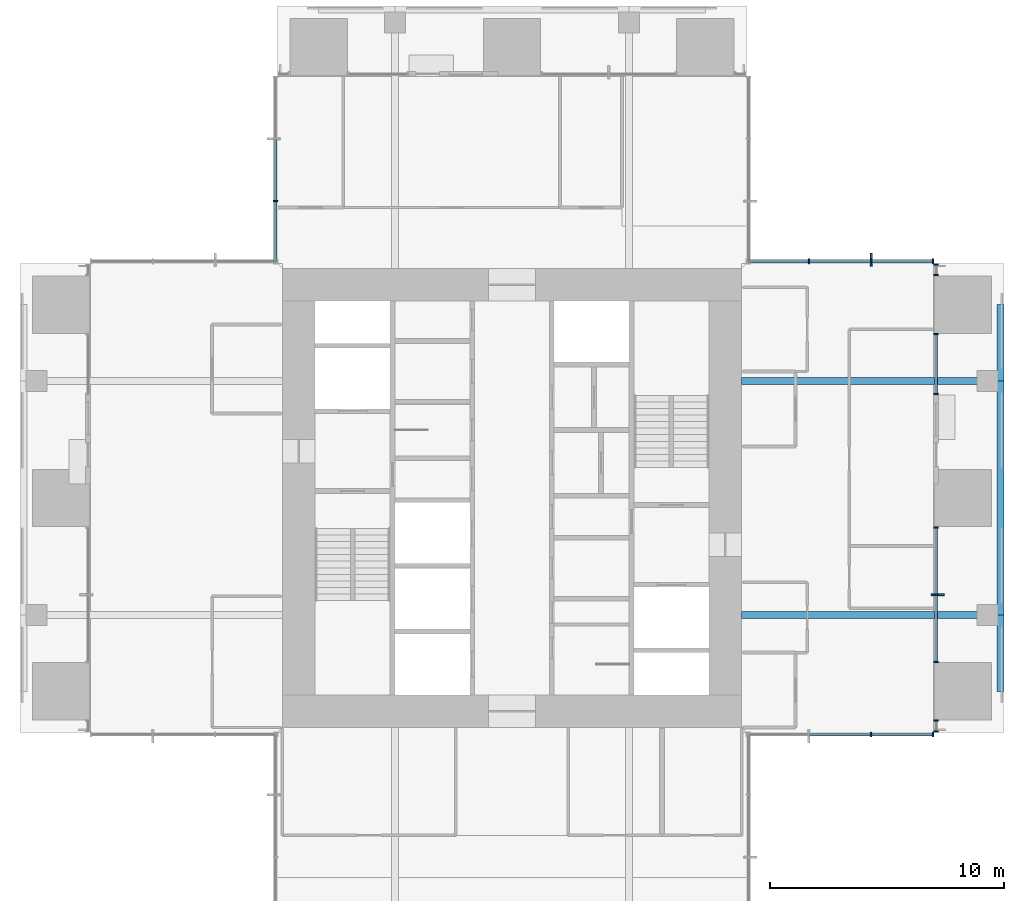
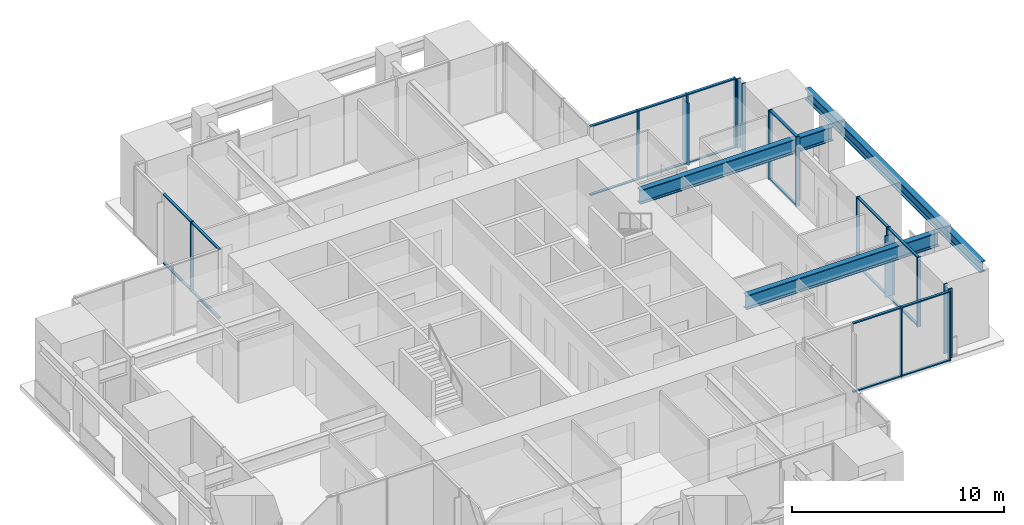
# One storey, part 4 of 17: 37 members, 5 beams, 7 elements without a shape of their own.
"""IFC4 building model written with IfcOpenShell, lengths in metres."""

import ifcopenshell
import ifcopenshell.guid

model = None  # the IFC model being written
_history = None  # IfcOwnerHistory: only IFC2X3 demands one
_inside = {}  # id of a spatial element -> (the spatial element, [elements in it])
_under = {}  # id of a project, library or spatial element -> (it, [spatial elements below it])
_declared = {}  # id of a project -> (the project, [libraries it declares])
_typed = {}  # id of a type object -> (the type object, [elements of that type])
_made_of = {}  # id of a material, layer set ... -> (it, [elements and type objects made of it])


def new_model(schema):
    """Start an empty IFC model of exactly this schema.

    Asked for "IFC4X3", IfcOpenShell would pick the latest addendum, in which some entities
    have other attributes; the version numbers below select the first issue.
    IFC2X3 requires an IfcOwnerHistory on every rooted entity: one is made here for all.
    """
    global model, _history
    if schema == "IFC4X3":
        model = ifcopenshell.file(schema_version=(4, 3, 0, 0))
    else:
        model = ifcopenshell.file(schema=schema)
    _inside.clear()
    _under.clear()
    _declared.clear()
    _typed.clear()
    _made_of.clear()
    _history = None
    if model.schema == "IFC2X3":
        org = make("IfcOrganization", Name="unknown")
        user = make(
            "IfcPersonAndOrganization",
            ThePerson=make("IfcPerson", FamilyName="unknown"),
            TheOrganization=org,
        )
        app = make(
            "IfcApplication",
            ApplicationDeveloper=org,
            Version="unknown",
            ApplicationFullName="unknown",
            ApplicationIdentifier="unknown",
        )
        _history = make(
            "IfcOwnerHistory",
            OwningUser=user,
            OwningApplication=app,
            ChangeAction="ADDED",
            CreationDate=0,
        )
    return model


def make(cls, **values):
    """One entity of the class cls with the attributes given. An attribute that is None is left unset."""
    return model.create_entity(
        cls, **{name: value for name, value in values.items() if value is not None}
    )


def rooted(cls, **values):
    """An entity with a GlobalId (a new one), such as an element, a storey or a relation."""
    return make(cls, GlobalId=ifcopenshell.guid.new(), OwnerHistory=_history, **values)


def si_unit(unit_type, name, prefix=None):
    """IfcSIUnit, for example si_unit("LENGTHUNIT", "METRE", prefix="MILLI")."""
    return make("IfcSIUnit", UnitType=unit_type, Prefix=prefix, Name=name)


def assignment(units):
    """IfcUnitAssignment: the units of a project."""
    return None if units is None else make("IfcUnitAssignment", Units=units)


def point(xyz):
    """IfcCartesianPoint."""
    return None if xyz is None else make("IfcCartesianPoint", Coordinates=xyz)


def direction(xyz):
    """IfcDirection."""
    return None if xyz is None else make("IfcDirection", DirectionRatios=xyz)


def frame(location, z_axis=None, x_axis=None):
    """IfcAxis2Placement3D, a coordinate frame: its origin and axes. An axis left out is left unset."""
    return make(
        "IfcAxis2Placement3D",
        Location=point(location),
        Axis=direction(z_axis),
        RefDirection=direction(x_axis),
    )


def frame_2d(location, x_axis=None):
    """IfcAxis2Placement2D, a coordinate frame in the plane: its origin and x axis."""
    return make(
        "IfcAxis2Placement2D", Location=point(location), RefDirection=direction(x_axis)
    )


def origin():
    """The frame at (0, 0, 0) with its axes left unset."""
    return frame((0.0, 0.0, 0.0))


def origin_2d():
    """The frame at (0, 0) in the plane with its x axis left unset."""
    return frame_2d((0.0, 0.0))


def place(relative_to, where):
    """IfcLocalPlacement: puts the frame where relative to a parent placement (None: the world)."""
    return make(
        "IfcLocalPlacement", PlacementRelTo=relative_to, RelativePlacement=where
    )


def context(
    kind, dimensions, precision=None, world=None, true_north=None, identifier=None
):
    """IfcGeometricRepresentationContext, for example the 3D "Model" context."""
    return make(
        "IfcGeometricRepresentationContext",
        ContextIdentifier=identifier,
        ContextType=kind,
        CoordinateSpaceDimension=dimensions,
        Precision=precision,
        WorldCoordinateSystem=world,
        TrueNorth=true_north,
    )


def subcontext(parent, identifier, kind, view, scale=None):
    """IfcGeometricRepresentationSubContext, for example "Body" below "Model"."""
    return make(
        "IfcGeometricRepresentationSubContext",
        ContextIdentifier=identifier,
        ContextType=kind,
        ParentContext=parent,
        TargetScale=scale,
        TargetView=view,
    )


def project(units=None, contexts=None):
    """IfcProject with its units and contexts."""
    return rooted(
        "IfcProject",
        Name="project",
        RepresentationContexts=contexts,
        UnitsInContext=assignment(units),
    )


def spatial(cls, under=None, at=None, **own):
    """A site, building, storey or space (cls), placed at a placement, below another one or the project."""
    s = rooted(cls, ObjectPlacement=at, **own)
    if under is not None:
        _under.setdefault(under.id(), (under, []))[1].append(s)
    return s


def profile(cls, at=None, kind="AREA", **sizes):
    """A parametric profile (cls). Its sizes go by their IFC names, for example OverallWidth=200.0."""
    return make(cls, ProfileType=kind, Position=at, **sizes)


def rectangle(**sizes):
    """IfcRectangleProfileDef."""
    return profile("IfcRectangleProfileDef", **sizes)


def i_section(**sizes):
    """IfcIShapeProfileDef."""
    return profile("IfcIShapeProfileDef", **sizes)


def extrude(swept, where, along, depth):
    """IfcExtrudedAreaSolid: the profile swept, set in the frame where, extruded along a direction by depth."""
    return make(
        "IfcExtrudedAreaSolid",
        SweptArea=swept,
        Position=where,
        ExtrudedDirection=direction(along),
        Depth=depth,
    )


def shape(context_of_items, identifier, shape_type, items):
    """IfcShapeRepresentation: the items that make up one representation, for example the "Body"."""
    return make(
        "IfcShapeRepresentation",
        ContextOfItems=context_of_items,
        RepresentationIdentifier=identifier,
        RepresentationType=shape_type,
        Items=items,
    )


def material(Name=None, Category=None):
    """IfcMaterial."""
    return make("IfcMaterial", Name=Name, Category=Category)


def material_profile(
    of_material, cross_section, Name=None, Category=None, Priority=None
):
    """IfcMaterialProfile: a cross section and its material."""
    return make(
        "IfcMaterialProfile",
        Name=Name,
        Material=of_material,
        Profile=cross_section,
        Priority=Priority,
        Category=Category,
    )


def profile_set(profiles, Name=None, composite=None):
    """IfcMaterialProfileSet."""
    return make(
        "IfcMaterialProfileSet",
        Name=Name,
        MaterialProfiles=profiles,
        CompositeProfile=composite,
    )


def made_of(thing, what):
    """Note that an element or type object is made of a material, layer set ...; save() writes the relation."""
    if what is not None:
        _made_of.setdefault(what.id(), (what, []))[1].append(thing)
    return thing


def type_object(cls, material=None, **own):
    """A type object (cls), such as IfcWallType, which elements share."""
    return made_of(rooted(cls, **own), material)


def element(
    cls,
    number,
    at=None,
    inside=None,
    cuts=None,
    type_object=None,
    material=None,
    context=None,
    identifier="Body",
    shape_type=None,
    held_by="IfcProductDefinitionShape",
    body=None,
    shapes=None,
    **own,
):
    """One element of the class cls, such as IfcWall. Its Tag is "e" and its number.

    at: its placement. inside: the storey or other place that contains it. cuts: it is an
    opening in that element (IfcRelVoidsElement). A single representation is given by context,
    identifier, shape_type and body (its items); several are given by shapes. held_by: the class
    of the entity that holds the representations. save() writes the other relations.
    """
    e = rooted(cls, Tag="e%d" % number, ObjectPlacement=at, **own)
    if body is not None:
        shapes = [shape(context, identifier, shape_type, body)]
    if shapes is not None:
        e.Representation = make(held_by, Representations=shapes)
    if inside is not None:
        _inside.setdefault(inside.id(), (inside, []))[1].append(e)
    if cuts is not None:
        rooted(
            "IfcRelVoidsElement", RelatingBuildingElement=cuts, RelatedOpeningElement=e
        )
    if type_object is not None:
        _typed.setdefault(type_object.id(), (type_object, []))[1].append(e)
    return made_of(e, material)


def aggregate(whole, parts):
    """IfcRelAggregates: a whole, such as a stair, and the parts it consists of."""
    return rooted("IfcRelAggregates", RelatingObject=whole, RelatedObjects=parts)


def save(model, path):
    """Write the relations noted so far, then the file.

    IfcRelAggregates (storeys below a building ...), IfcRelContainedInSpatialStructure (elements
    in a storey), IfcRelDefinesByType, IfcRelAssociatesMaterial and IfcRelDeclares: one each for
    every whole, place, type object, material and project.
    """
    for whole, parts in _under.values():
        aggregate(whole, parts)
    for where, things in _inside.values():
        rooted(
            "IfcRelContainedInSpatialStructure",
            RelatedElements=things,
            RelatingStructure=where,
        )
    for kind, things in _typed.values():
        rooted("IfcRelDefinesByType", RelatedObjects=things, RelatingType=kind)
    for what, things in _made_of.values():
        rooted("IfcRelAssociatesMaterial", RelatedObjects=things, RelatingMaterial=what)
    for by, libraries in _declared.values():
        rooted("IfcRelDeclares", RelatingContext=by, RelatedDefinitions=libraries)
    model.write(path)


model = new_model("IFC4")

# Units and contexts
model_context = context("Model", 3, precision=1e-05, world=origin(), true_north=direction((0.0, 1.0)))
body_context = subcontext(model_context, "Body", "Model", "MODEL_VIEW")
ifc_project = project(units=[si_unit("LENGTHUNIT", "METRE"), si_unit("AREAUNIT", "SQUARE_METRE"), si_unit("VOLUMEUNIT", "CUBIC_METRE"), si_unit("PLANEANGLEUNIT", "RADIAN"), si_unit("MASSUNIT", "GRAM", prefix="KILO")], contexts=[model_context])

# Site, building, storey
site_placement = place(None, origin())
site = spatial("IfcSite", under=ifc_project, at=site_placement, CompositionType="ELEMENT")
building_placement = place(site_placement, origin())
building = spatial("IfcBuilding", under=site, at=building_placement, Name="Svetlomir Tower", CompositionType="ELEMENT")
storey_placement = place(building_placement, frame((0.0, 0.0, 230.5)))
storey = spatial("IfcBuildingStorey", under=building, at=storey_placement, Name="L55", CompositionType="ELEMENT", Elevation=230.5)

# Curtain wall, member
ifc_material_1 = material(Name="Bronze anodised aluminium curtain wall", Category="aluminium")
curtain_wall_type = type_object("IfcCurtainWallType", Name="CURTAIN WALL CW1 TOWER OFFICE", PredefinedType="NOTDEFINED", material=ifc_material_1)
curtain_wall_1_placement = place(storey_placement, origin())
curtain_wall_1 = element("IfcCurtainWall", 1, at=curtain_wall_1_placement, inside=storey, type_object=curtain_wall_type, Name="Curtain wall CW1 L55", PredefinedType="NOTDEFINED")
ifc_material_2 = material(Name="Bronze anodised aluminium", Category="aluminium")
ifc_material_profile_1 = material_profile(ifc_material_2, rectangle(XDim=0.080078125, YDim=0.550048828125, at=origin_2d()), Name="FIN 80x550")
ifc_profile_set_1 = profile_set([ifc_material_profile_1], Name="Bronze anodised aluminium 6063-T6")
member_type_1 = type_object("IfcMemberType", Name="BRONZE FIN 80x550", PredefinedType="USERDEFINED", material=ifc_profile_set_1)
member_1_placement = place(storey_placement, frame((39.175048828125, 16.875, 0.0), z_axis=(0.0, 0.0, 1.0), x_axis=(0.0, 1.0, 0.0)))
member_1 = element("IfcMember", 2, at=member_1_placement, type_object=member_type_1, Name="Bronze fin L55", ObjectType="FIN", PredefinedType="USERDEFINED", context=body_context, shape_type="SweptSolid", body=[
    extrude(rectangle(XDim=0.080078125, YDim=0.550048828125, at=origin_2d()), origin(), (0.0, 0.0, 1.0), 3.550048828125),
])

curtain_wall_2_placement = place(storey_placement, origin())
curtain_wall_2 = element("IfcCurtainWall", 3, at=curtain_wall_2_placement, inside=storey, type_object=curtain_wall_type, Name="Curtain wall CW1 L55", PredefinedType="NOTDEFINED")
member_2_placement = place(storey_placement, frame((36.333251953125, 31.175048828125, 0.0), z_axis=(0.0, 0.0, 1.0), x_axis=(1.0, 0.0, 0.0)))
member_2 = element("IfcMember", 4, at=member_2_placement, type_object=member_type_1, Name="Bronze fin L55", ObjectType="FIN", PredefinedType="USERDEFINED", context=body_context, shape_type="SweptSolid", body=[
    extrude(rectangle(XDim=0.080078125, YDim=0.550048828125, at=origin_2d()), origin(), (0.0, 0.0, 1.0), 3.550048828125),
])

# Curtain wall, members
curtain_wall_3_placement = place(storey_placement, origin())
curtain_wall_3 = element("IfcCurtainWall", 5, at=curtain_wall_3_placement, inside=storey, type_object=curtain_wall_type, Name="Curtain wall CW1 L55", PredefinedType="NOTDEFINED")
ifc_material_3 = material(Name="Bronze anodised aluminium", Category="aluminium")
ifc_material_profile_2 = material_profile(ifc_material_3, rectangle(XDim=0.06494140625, YDim=0.199951171875, at=origin_2d()), Name="AL 65x200")
ifc_profile_set_2 = profile_set([ifc_material_profile_2], Name="Bronze anodised aluminium 6063-T6")
member_type_2 = type_object("IfcMemberType", Name="CW1 MULLION 65x200", PredefinedType="MULLION", material=ifc_profile_set_2)
member_3_placement = place(storey_placement, frame((36.333251953125, 10.89990234375, 0.0), z_axis=(0.0, 0.0, 1.0), x_axis=(1.0, 0.0, 0.0)))
member_3 = element("IfcMember", 6, at=member_3_placement, type_object=member_type_2, Name="CW1 mullion 3", PredefinedType="MULLION", context=body_context, shape_type="SweptSolid", body=[
    extrude(rectangle(XDim=0.06494140625, YDim=0.199951171875, at=origin_2d()), origin(), (0.0, 0.0, 1.0), 4.0),
])
member_4_placement = place(storey_placement, frame((38.967529296875, 10.89990234375, 0.0), z_axis=(0.0, 0.0, 1.0), x_axis=(1.0, 0.0, 0.0)))
member_4 = element("IfcMember", 7, at=member_4_placement, type_object=member_type_2, Name="CW1 mullion 4", PredefinedType="MULLION", context=body_context, shape_type="SweptSolid", body=[
    extrude(rectangle(XDim=0.06494140625, YDim=0.199951171875, at=origin_2d()), origin(), (0.0, 0.0, 1.0), 4.0),
])

curtain_wall_4_placement = place(storey_placement, origin())
curtain_wall_4 = element("IfcCurtainWall", 8, at=curtain_wall_4_placement, inside=storey, type_object=curtain_wall_type, Name="Curtain wall CW1 L55", PredefinedType="NOTDEFINED")
member_5_placement = place(storey_placement, frame((39.10009765625, 11.032470703125, 0.0), z_axis=(0.0, 0.0, 1.0), x_axis=(0.0, 1.0, 0.0)))
member_5 = element("IfcMember", 9, at=member_5_placement, type_object=member_type_2, Name="CW1 mullion 1", PredefinedType="MULLION", context=body_context, shape_type="SweptSolid", body=[
    extrude(rectangle(XDim=0.06494140625, YDim=0.199951171875, at=origin_2d()), origin(), (0.0, 0.0, 1.0), 4.0),
])
member_6_placement = place(storey_placement, frame((39.10009765625, 11.492431640625, 0.0), z_axis=(0.0, 0.0, 1.0), x_axis=(0.0, 1.0, 0.0)))
member_6 = element("IfcMember", 10, at=member_6_placement, type_object=member_type_2, Name="CW1 mullion 2", PredefinedType="MULLION", context=body_context, shape_type="SweptSolid", body=[
    extrude(rectangle(XDim=0.06494140625, YDim=0.199951171875, at=origin_2d()), origin(), (0.0, 0.0, 1.0), 4.0),
])
aggregate(curtain_wall_4, [member_5, member_6])

# Member
member_7_placement = place(storey_placement, frame((39.10009765625, 14.007568359375, 0.0), z_axis=(0.0, 0.0, 1.0), x_axis=(0.0, 1.0, 0.0)))
member_7 = element("IfcMember", 11, at=member_7_placement, type_object=member_type_2, Name="CW1 mullion 1", PredefinedType="MULLION", context=body_context, shape_type="SweptSolid", body=[
    extrude(rectangle(XDim=0.06494140625, YDim=0.199951171875, at=origin_2d()), origin(), (0.0, 0.0, 1.0), 4.0),
])

member_8_placement = place(storey_placement, frame((39.10009765625, 16.875, 0.0), z_axis=(0.0, 0.0, 1.0), x_axis=(0.0, 1.0, 0.0)))
member_8 = element("IfcMember", 12, at=member_8_placement, type_object=member_type_2, Name="CW1 mullion 2", PredefinedType="MULLION", context=body_context, shape_type="SweptSolid", body=[
    extrude(rectangle(XDim=0.06494140625, YDim=0.199951171875, at=origin_2d()), origin(), (0.0, 0.0, 1.0), 4.0),
])

member_9_placement = place(storey_placement, frame((39.10009765625, 19.742431640625, 0.0), z_axis=(0.0, 0.0, 1.0), x_axis=(0.0, 1.0, 0.0)))
member_9 = element("IfcMember", 13, at=member_9_placement, type_object=member_type_2, Name="CW1 mullion 3", PredefinedType="MULLION", context=body_context, shape_type="SweptSolid", body=[
    extrude(rectangle(XDim=0.06494140625, YDim=0.199951171875, at=origin_2d()), origin(), (0.0, 0.0, 1.0), 4.0),
])

# Curtain wall, members
curtain_wall_5_placement = place(storey_placement, origin())
curtain_wall_5 = element("IfcCurtainWall", 14, at=curtain_wall_5_placement, inside=storey, type_object=curtain_wall_type, Name="Curtain wall CW1 L55", PredefinedType="NOTDEFINED")
member_10_placement = place(storey_placement, frame((39.10009765625, 25.4326171875, 0.0), z_axis=(0.0, 0.0, 1.0), x_axis=(0.0, 1.0, 0.0)))
member_10 = element("IfcMember", 15, at=member_10_placement, type_object=member_type_2, Name="CW1 mullion 1", PredefinedType="MULLION", context=body_context, shape_type="SweptSolid", body=[
    extrude(rectangle(XDim=0.06494140625, YDim=0.199951171875, at=origin_2d()), origin(), (0.0, 0.0, 1.0), 4.0),
])
member_11_placement = place(storey_placement, frame((39.10009765625, 27.992431640625, 0.0), z_axis=(0.0, 0.0, 1.0), x_axis=(0.0, 1.0, 0.0)))
member_11 = element("IfcMember", 16, at=member_11_placement, type_object=member_type_2, Name="CW1 mullion 2", PredefinedType="MULLION", context=body_context, shape_type="SweptSolid", body=[
    extrude(rectangle(XDim=0.06494140625, YDim=0.199951171875, at=origin_2d()), origin(), (0.0, 0.0, 1.0), 4.0),
])

curtain_wall_6_placement = place(storey_placement, origin())
curtain_wall_6 = element("IfcCurtainWall", 17, at=curtain_wall_6_placement, inside=storey, type_object=curtain_wall_type, Name="Curtain wall CW1 L55", PredefinedType="NOTDEFINED")
member_12_placement = place(storey_placement, frame((39.10009765625, 30.507568359375, 0.0), z_axis=(0.0, 0.0, 1.0), x_axis=(0.0, 1.0, 0.0)))
member_12 = element("IfcMember", 18, at=member_12_placement, type_object=member_type_2, Name="CW1 mullion 1", PredefinedType="MULLION", context=body_context, shape_type="SweptSolid", body=[
    extrude(rectangle(XDim=0.06494140625, YDim=0.199951171875, at=origin_2d()), origin(), (0.0, 0.0, 1.0), 4.0),
])
member_13_placement = place(storey_placement, frame((39.10009765625, 30.967529296875, 0.0), z_axis=(0.0, 0.0, 1.0), x_axis=(0.0, 1.0, 0.0)))
member_13 = element("IfcMember", 19, at=member_13_placement, type_object=member_type_2, Name="CW1 mullion 2", PredefinedType="MULLION", context=body_context, shape_type="SweptSolid", body=[
    extrude(rectangle(XDim=0.06494140625, YDim=0.199951171875, at=origin_2d()), origin(), (0.0, 0.0, 1.0), 4.0),
])
aggregate(curtain_wall_6, [member_12, member_13])

# Member
member_14_placement = place(storey_placement, frame((38.967529296875, 31.10009765625, 0.0), z_axis=(0.0, 0.0, 1.0), x_axis=(-1.0, 0.0, 0.0)))
member_14 = element("IfcMember", 20, at=member_14_placement, type_object=member_type_2, Name="CW1 mullion 1", PredefinedType="MULLION", context=body_context, shape_type="SweptSolid", body=[
    extrude(rectangle(XDim=0.06494140625, YDim=0.199951171875, at=origin_2d()), origin(), (0.0, 0.0, 1.0), 4.0),
])

member_15_placement = place(storey_placement, frame((36.333251953125, 31.10009765625, 0.0), z_axis=(0.0, 0.0, 1.0), x_axis=(-1.0, 0.0, 0.0)))
member_15 = element("IfcMember", 21, at=member_15_placement, type_object=member_type_2, Name="CW1 mullion 2", PredefinedType="MULLION", context=body_context, shape_type="SweptSolid", body=[
    extrude(rectangle(XDim=0.06494140625, YDim=0.199951171875, at=origin_2d()), origin(), (0.0, 0.0, 1.0), 4.0),
])

member_16_placement = place(storey_placement, frame((33.666748046875, 31.10009765625, 0.0), z_axis=(0.0, 0.0, 1.0), x_axis=(-1.0, 0.0, 0.0)))
member_16 = element("IfcMember", 22, at=member_16_placement, type_object=member_type_2, Name="CW1 mullion 3", PredefinedType="MULLION", context=body_context, shape_type="SweptSolid", body=[
    extrude(rectangle(XDim=0.06494140625, YDim=0.199951171875, at=origin_2d()), origin(), (0.0, 0.0, 1.0), 4.0),
])

# Curtain wall, member
curtain_wall_7_placement = place(storey_placement, origin())
curtain_wall_7 = element("IfcCurtainWall", 23, at=curtain_wall_7_placement, inside=storey, type_object=curtain_wall_type, Name="Curtain wall CW1 L55", PredefinedType="NOTDEFINED")
member_17_placement = place(storey_placement, frame((10.89990234375, 33.666748046875, 0.0), z_axis=(0.0, 0.0, 1.0), x_axis=(0.0, -1.0, 0.0)))
member_17 = element("IfcMember", 24, at=member_17_placement, type_object=member_type_2, Name="CW1 mullion 3", PredefinedType="MULLION", context=body_context, shape_type="SweptSolid", body=[
    extrude(rectangle(XDim=0.06494140625, YDim=0.199951171875, at=origin_2d()), origin(), (0.0, 0.0, 1.0), 4.0),
])

# Member
ifc_material_4 = material(Name="Bronze anodised aluminium", Category="aluminium")
ifc_material_profile_3 = material_profile(ifc_material_4, rectangle(XDim=0.139892578125, YDim=0.06494140625, at=origin_2d()), Name="AL 140x65")
ifc_profile_set_3 = profile_set([ifc_material_profile_3], Name="Bronze anodised aluminium 6063-T6")
member_type_3 = type_object("IfcMemberType", Name="CW1 TRANSOM 65x140", PredefinedType="USERDEFINED", material=ifc_profile_set_3)
member_18_placement = place(storey_placement, frame((33.69921875, 10.89990234375, 0.032470703125), z_axis=(1.0, 0.0, 0.0), x_axis=(0.0, 1.0, 0.0)))
member_18 = element("IfcMember", 25, at=member_18_placement, type_object=member_type_3, Name="CW1 transom 2.1", ObjectType="TRANSOM", PredefinedType="USERDEFINED", context=body_context, shape_type="SweptSolid", body=[
    extrude(rectangle(XDim=0.139892578125, YDim=0.06494140625, at=origin_2d()), origin(), (0.0, 0.0, 1.0), 2.6015625),
])

member_19_placement = place(storey_placement, frame((33.69921875, 10.89990234375, 3.967529296875), z_axis=(1.0, 0.0, 0.0), x_axis=(0.0, 1.0, 0.0)))
member_19 = element("IfcMember", 26, at=member_19_placement, type_object=member_type_3, Name="CW1 transom 2.2", ObjectType="TRANSOM", PredefinedType="USERDEFINED", context=body_context, shape_type="SweptSolid", body=[
    extrude(rectangle(XDim=0.139892578125, YDim=0.06494140625, at=origin_2d()), origin(), (0.0, 0.0, 1.0), 2.6015625),
])

member_20_placement = place(storey_placement, frame((36.36572265625, 10.89990234375, 0.032470703125), z_axis=(1.0, 0.0, 0.0), x_axis=(0.0, 1.0, 0.0)))
member_20 = element("IfcMember", 27, at=member_20_placement, type_object=member_type_3, Name="CW1 transom 3.1", ObjectType="TRANSOM", PredefinedType="USERDEFINED", context=body_context, shape_type="SweptSolid", body=[
    extrude(rectangle(XDim=0.139892578125, YDim=0.06494140625, at=origin_2d()), origin(), (0.0, 0.0, 1.0), 2.5693359375),
])

member_21_placement = place(storey_placement, frame((36.36572265625, 10.89990234375, 3.967529296875), z_axis=(1.0, 0.0, 0.0), x_axis=(0.0, 1.0, 0.0)))
member_21 = element("IfcMember", 28, at=member_21_placement, type_object=member_type_3, Name="CW1 transom 3.2", ObjectType="TRANSOM", PredefinedType="USERDEFINED", context=body_context, shape_type="SweptSolid", body=[
    extrude(rectangle(XDim=0.139892578125, YDim=0.06494140625, at=origin_2d()), origin(), (0.0, 0.0, 1.0), 2.5693359375),
])

aggregate(curtain_wall_3, [member_3, member_4, member_18, member_19, member_20, member_21])

member_22_placement = place(storey_placement, frame((39.10009765625, 14.0400390625, 0.032470703125), z_axis=(0.0, 1.0, 0.0), x_axis=(-1.0, 0.0, 0.0)))
member_22 = element("IfcMember", 29, at=member_22_placement, type_object=member_type_3, Name="CW1 transom 1.1", ObjectType="TRANSOM", PredefinedType="USERDEFINED", context=body_context, shape_type="SweptSolid", body=[
    extrude(rectangle(XDim=0.139892578125, YDim=0.06494140625, at=origin_2d()), origin(), (0.0, 0.0, 1.0), 2.802490234375),
])

member_23_placement = place(storey_placement, frame((39.10009765625, 14.0400390625, 3.967529296875), z_axis=(0.0, 1.0, 0.0), x_axis=(-1.0, 0.0, 0.0)))
member_23 = element("IfcMember", 30, at=member_23_placement, type_object=member_type_3, Name="CW1 transom 1.2", ObjectType="TRANSOM", PredefinedType="USERDEFINED", context=body_context, shape_type="SweptSolid", body=[
    extrude(rectangle(XDim=0.139892578125, YDim=0.06494140625, at=origin_2d()), origin(), (0.0, 0.0, 1.0), 2.802490234375),
])

member_24_placement = place(storey_placement, frame((39.10009765625, 16.907470703125, 0.032470703125), z_axis=(0.0, 1.0, 0.0), x_axis=(-1.0, 0.0, 0.0)))
member_24 = element("IfcMember", 31, at=member_24_placement, type_object=member_type_3, Name="CW1 transom 2.1", ObjectType="TRANSOM", PredefinedType="USERDEFINED", context=body_context, shape_type="SweptSolid", body=[
    extrude(rectangle(XDim=0.139892578125, YDim=0.06494140625, at=origin_2d()), origin(), (0.0, 0.0, 1.0), 2.802490234375),
])

member_25_placement = place(storey_placement, frame((39.10009765625, 16.907470703125, 3.967529296875), z_axis=(0.0, 1.0, 0.0), x_axis=(-1.0, 0.0, 0.0)))
member_25 = element("IfcMember", 32, at=member_25_placement, type_object=member_type_3, Name="CW1 transom 2.2", ObjectType="TRANSOM", PredefinedType="USERDEFINED", context=body_context, shape_type="SweptSolid", body=[
    extrude(rectangle(XDim=0.139892578125, YDim=0.06494140625, at=origin_2d()), origin(), (0.0, 0.0, 1.0), 2.802490234375),
])

aggregate(curtain_wall_1, [member_7, member_8, member_9, member_22, member_23, member_24, member_25, member_1])

member_26_placement = place(storey_placement, frame((39.10009765625, 25.465087890625, 0.032470703125), z_axis=(0.0, 1.0, 0.0), x_axis=(-1.0, 0.0, 0.0)))
member_26 = element("IfcMember", 33, at=member_26_placement, type_object=member_type_3, Name="CW1 transom 1.1", ObjectType="TRANSOM", PredefinedType="USERDEFINED", context=body_context, shape_type="SweptSolid", body=[
    extrude(rectangle(XDim=0.139892578125, YDim=0.06494140625, at=origin_2d()), origin(), (0.0, 0.0, 1.0), 2.494873046875),
])

member_27_placement = place(storey_placement, frame((39.10009765625, 25.465087890625, 3.967529296875), z_axis=(0.0, 1.0, 0.0), x_axis=(-1.0, 0.0, 0.0)))
member_27 = element("IfcMember", 34, at=member_27_placement, type_object=member_type_3, Name="CW1 transom 1.2", ObjectType="TRANSOM", PredefinedType="USERDEFINED", context=body_context, shape_type="SweptSolid", body=[
    extrude(rectangle(XDim=0.139892578125, YDim=0.06494140625, at=origin_2d()), origin(), (0.0, 0.0, 1.0), 2.494873046875),
])

aggregate(curtain_wall_5, [member_10, member_11, member_26, member_27])

member_28_placement = place(storey_placement, frame((38.93505859375, 31.10009765625, 0.032470703125), z_axis=(-1.0, 0.0, 0.0), x_axis=(0.0, -1.0, 0.0)))
member_28 = element("IfcMember", 35, at=member_28_placement, type_object=member_type_3, Name="CW1 transom 1.1", ObjectType="TRANSOM", PredefinedType="USERDEFINED", context=body_context, shape_type="SweptSolid", body=[
    extrude(rectangle(XDim=0.139892578125, YDim=0.06494140625, at=origin_2d()), origin(), (0.0, 0.0, 1.0), 2.5693359375),
])

member_29_placement = place(storey_placement, frame((38.93505859375, 31.10009765625, 3.967529296875), z_axis=(-1.0, 0.0, 0.0), x_axis=(0.0, -1.0, 0.0)))
member_29 = element("IfcMember", 36, at=member_29_placement, type_object=member_type_3, Name="CW1 transom 1.2", ObjectType="TRANSOM", PredefinedType="USERDEFINED", context=body_context, shape_type="SweptSolid", body=[
    extrude(rectangle(XDim=0.139892578125, YDim=0.06494140625, at=origin_2d()), origin(), (0.0, 0.0, 1.0), 2.5693359375),
])

member_30_placement = place(storey_placement, frame((36.30078125, 31.10009765625, 0.032470703125), z_axis=(-1.0, 0.0, 0.0), x_axis=(0.0, -1.0, 0.0)))
member_30 = element("IfcMember", 37, at=member_30_placement, type_object=member_type_3, Name="CW1 transom 2.1", ObjectType="TRANSOM", PredefinedType="USERDEFINED", context=body_context, shape_type="SweptSolid", body=[
    extrude(rectangle(XDim=0.139892578125, YDim=0.06494140625, at=origin_2d()), origin(), (0.0, 0.0, 1.0), 2.6015625),
])

member_31_placement = place(storey_placement, frame((36.30078125, 31.10009765625, 3.967529296875), z_axis=(-1.0, 0.0, 0.0), x_axis=(0.0, -1.0, 0.0)))
member_31 = element("IfcMember", 38, at=member_31_placement, type_object=member_type_3, Name="CW1 transom 2.2", ObjectType="TRANSOM", PredefinedType="USERDEFINED", context=body_context, shape_type="SweptSolid", body=[
    extrude(rectangle(XDim=0.139892578125, YDim=0.06494140625, at=origin_2d()), origin(), (0.0, 0.0, 1.0), 2.6015625),
])

member_32_placement = place(storey_placement, frame((33.63427734375, 31.10009765625, 0.032470703125), z_axis=(-1.0, 0.0, 0.0), x_axis=(0.0, -1.0, 0.0)))
member_32 = element("IfcMember", 39, at=member_32_placement, type_object=member_type_3, Name="CW1 transom 3.1", ObjectType="TRANSOM", PredefinedType="USERDEFINED", context=body_context, shape_type="SweptSolid", body=[
    extrude(rectangle(XDim=0.139892578125, YDim=0.06494140625, at=origin_2d()), origin(), (0.0, 0.0, 1.0), 2.5693359375),
])

member_33_placement = place(storey_placement, frame((33.63427734375, 31.10009765625, 3.967529296875), z_axis=(-1.0, 0.0, 0.0), x_axis=(0.0, -1.0, 0.0)))
member_33 = element("IfcMember", 40, at=member_33_placement, type_object=member_type_3, Name="CW1 transom 3.2", ObjectType="TRANSOM", PredefinedType="USERDEFINED", context=body_context, shape_type="SweptSolid", body=[
    extrude(rectangle(XDim=0.139892578125, YDim=0.06494140625, at=origin_2d()), origin(), (0.0, 0.0, 1.0), 2.5693359375),
])

aggregate(curtain_wall_2, [member_14, member_15, member_16, member_28, member_29, member_30, member_31, member_32, member_33, member_2])

member_34_placement = place(storey_placement, frame((10.89990234375, 36.30078125, 0.032470703125), z_axis=(0.0, -1.0, 0.0), x_axis=(1.0, 0.0, 0.0)))
member_34 = element("IfcMember", 41, at=member_34_placement, type_object=member_type_3, Name="CW1 transom 2.1", ObjectType="TRANSOM", PredefinedType="USERDEFINED", context=body_context, shape_type="SweptSolid", body=[
    extrude(rectangle(XDim=0.139892578125, YDim=0.06494140625, at=origin_2d()), origin(), (0.0, 0.0, 1.0), 2.6015625),
])

member_35_placement = place(storey_placement, frame((10.89990234375, 36.30078125, 3.967529296875), z_axis=(0.0, -1.0, 0.0), x_axis=(1.0, 0.0, 0.0)))
member_35 = element("IfcMember", 42, at=member_35_placement, type_object=member_type_3, Name="CW1 transom 2.2", ObjectType="TRANSOM", PredefinedType="USERDEFINED", context=body_context, shape_type="SweptSolid", body=[
    extrude(rectangle(XDim=0.139892578125, YDim=0.06494140625, at=origin_2d()), origin(), (0.0, 0.0, 1.0), 2.6015625),
])

member_36_placement = place(storey_placement, frame((10.89990234375, 33.63427734375, 0.032470703125), z_axis=(0.0, -1.0, 0.0), x_axis=(1.0, 0.0, 0.0)))
member_36 = element("IfcMember", 43, at=member_36_placement, type_object=member_type_3, Name="CW1 transom 3.1", ObjectType="TRANSOM", PredefinedType="USERDEFINED", context=body_context, shape_type="SweptSolid", body=[
    extrude(rectangle(XDim=0.139892578125, YDim=0.06494140625, at=origin_2d()), origin(), (0.0, 0.0, 1.0), 2.5693359375),
])

member_37_placement = place(storey_placement, frame((10.89990234375, 33.63427734375, 3.967529296875), z_axis=(0.0, -1.0, 0.0), x_axis=(1.0, 0.0, 0.0)))
member_37 = element("IfcMember", 44, at=member_37_placement, type_object=member_type_3, Name="CW1 transom 3.2", ObjectType="TRANSOM", PredefinedType="USERDEFINED", context=body_context, shape_type="SweptSolid", body=[
    extrude(rectangle(XDim=0.139892578125, YDim=0.06494140625, at=origin_2d()), origin(), (0.0, 0.0, 1.0), 2.5693359375),
])

aggregate(curtain_wall_7, [member_17, member_34, member_35, member_36, member_37])

# Beams
ifc_material_5 = material(Name="Steel S355", Category="steel")
ifc_material_profile_4 = material_profile(ifc_material_5, i_section(OverallWidth=0.304931640625, OverallDepth=0.6201171875, WebThickness=0.02099609375, FlangeThickness=0.0400390625, FilletRadius=0.027099609375, at=origin_2d()), Name="HEM 600")
ifc_profile_set_4 = profile_set([ifc_material_profile_4], Name="Steel S355")
beam_type_1 = type_object("IfcBeamType", Name="EDGE BEAM HEM 600", PredefinedType="SPANDREL", material=ifc_profile_set_4)
beam_1_placement = place(storey_placement, frame((41.847412109375, 12.75, 3.239990234375), z_axis=(0.0, 1.0, 0.0), x_axis=(-1.0, 0.0, 0.0)))
element("IfcBeam", 45, at=beam_1_placement, inside=storey, type_object=beam_type_1, Name="Edge beam 42/11 to 42/16 under L56", PredefinedType="SPANDREL", context=body_context, shape_type="SweptSolid", body=[
    extrude(i_section(OverallWidth=0.304931640625, OverallDepth=0.6201171875, WebThickness=0.02099609375, FlangeThickness=0.0400390625, FilletRadius=0.027099609375, at=origin_2d()), origin(), (0.0, 0.0, 1.0), 3.25),
])
beam_2_placement = place(storey_placement, frame((41.847412109375, 16.0, 3.239990234375), z_axis=(0.0, 1.0, 0.0), x_axis=(-1.0, 0.0, 0.0)))
element("IfcBeam", 46, at=beam_2_placement, inside=storey, type_object=beam_type_1, Name="Edge beam 42/16 to 42/26 under L56", PredefinedType="SPANDREL", context=body_context, shape_type="SweptSolid", body=[
    extrude(i_section(OverallWidth=0.304931640625, OverallDepth=0.6201171875, WebThickness=0.02099609375, FlangeThickness=0.0400390625, FilletRadius=0.027099609375, at=origin_2d()), origin(), (0.0, 0.0, 1.0), 10.0),
])
beam_3_placement = place(storey_placement, frame((41.847412109375, 26.0, 3.239990234375), z_axis=(0.0, 1.0, 0.0), x_axis=(-1.0, 0.0, 0.0)))
element("IfcBeam", 47, at=beam_3_placement, inside=storey, type_object=beam_type_1, Name="Edge beam 42/26 to 42/31 under L56", PredefinedType="SPANDREL", context=body_context, shape_type="SweptSolid", body=[
    extrude(i_section(OverallWidth=0.304931640625, OverallDepth=0.6201171875, WebThickness=0.02099609375, FlangeThickness=0.0400390625, FilletRadius=0.027099609375, at=origin_2d()), origin(), (0.0, 0.0, 1.0), 3.25),
])
ifc_material_6 = material(Name="Steel S355", Category="steel")
ifc_material_profile_5 = material_profile(ifc_material_6, i_section(OverallWidth=0.302978515625, OverallDepth=0.81396484375, WebThickness=0.02099609375, FlangeThickness=0.0400390625, FilletRadius=0.030029296875, at=origin_2d()), Name="HEM 800")
ifc_profile_set_5 = profile_set([ifc_material_profile_5], Name="Steel S355")
beam_type_2 = type_object("IfcBeamType", Name="PLANT FLOOR BEAM HEM 800", PredefinedType="BEAM", material=ifc_profile_set_5)
for number, where, z_axis, x_axis, name in (
    (48, (41.300048828125, 16.0, 3.14306640625), (-1.0, 0.0, 0.0), (0.0, -1.0, 0.0), "Plant floor beam E 16 under L56"),
    (49, (41.300048828125, 26.0, 3.14306640625), (-1.0, 0.0, 0.0), (0.0, -1.0, 0.0), "Plant floor beam E 26 under L56"),
):
    element("IfcBeam", number, at=place(storey_placement, frame(where, z_axis=z_axis, x_axis=x_axis)), inside=storey, type_object=beam_type_2, Name=name, PredefinedType="BEAM", context=body_context, shape_type="SweptSolid", body=[
        extrude(i_section(OverallWidth=0.302978515625, OverallDepth=0.81396484375, WebThickness=0.02099609375, FlangeThickness=0.0400390625, FilletRadius=0.030029296875, at=origin_2d()), origin(), (0.0, 0.0, 1.0), 10.5),
    ])

save(model, "model.ifc")
